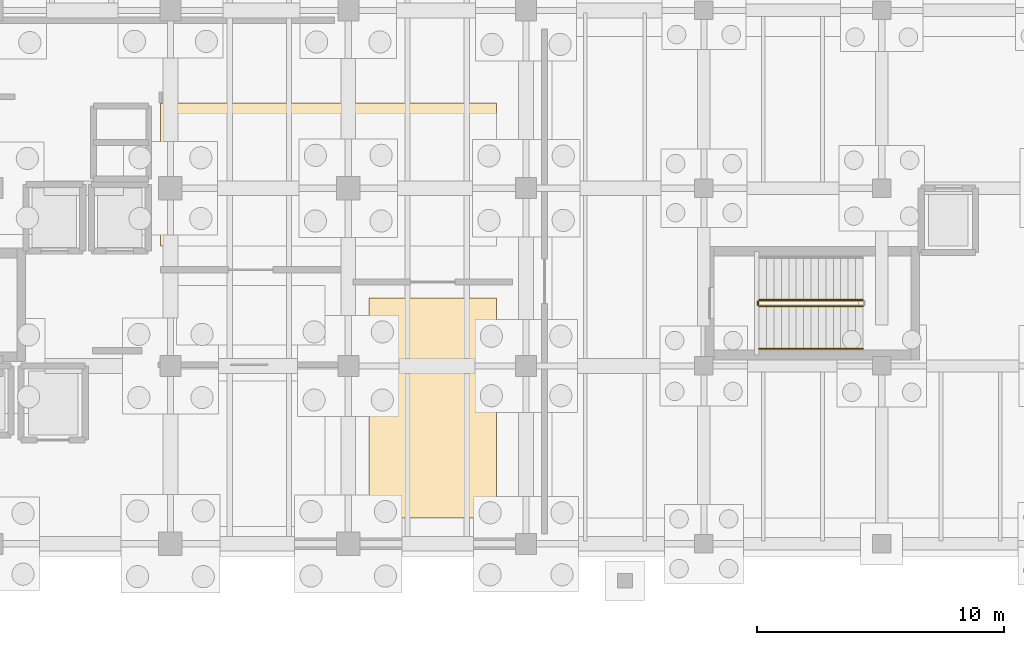
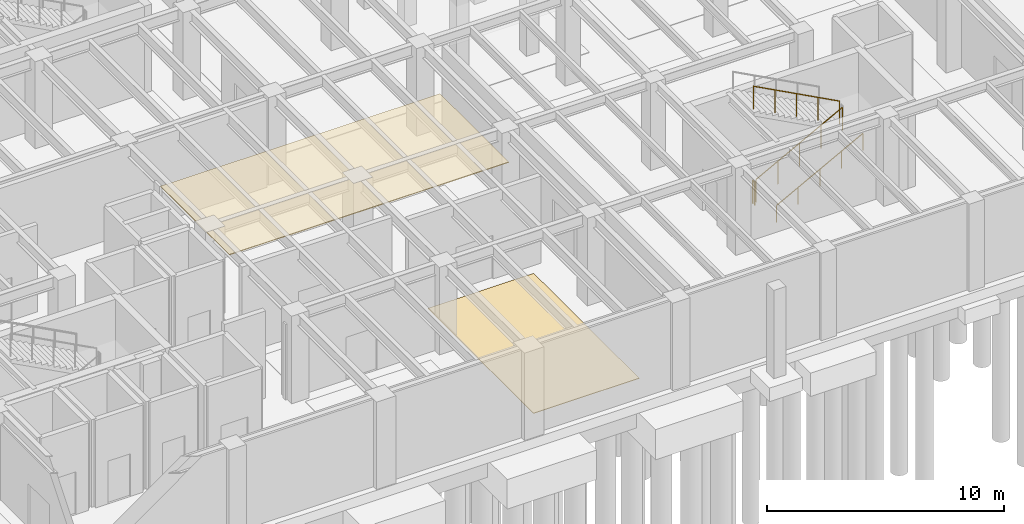
# One storey, part 19 of 26: 4 railings, 2 coverings.
"""IFC4 building model written with IfcOpenShell, lengths in metres."""

from ifc_helpers import new_model, si_unit, direction, frame, origin, origin_2d, place, context, subcontext, project, spatial, polyline, circle, outline, extrude, material, layer, layer_set, type_object, element, save


model = new_model("IFC4")

# Units and contexts
model_context = context("Model", 3, precision=1e-05, world=origin(), true_north=direction((0.0, 1.0)))
body_context = subcontext(model_context, "Body", "Model", "MODEL_VIEW")
ifc_project = project(units=[si_unit("LENGTHUNIT", "METRE"), si_unit("AREAUNIT", "SQUARE_METRE"), si_unit("VOLUMEUNIT", "CUBIC_METRE"), si_unit("PLANEANGLEUNIT", "RADIAN"), si_unit("MASSUNIT", "GRAM", prefix="KILO")], contexts=[model_context])

# Site, building, storey
site_placement = place(None, origin())
site = spatial("IfcSite", under=ifc_project, at=site_placement, CompositionType="ELEMENT")
building_placement = place(site_placement, origin())
building = spatial("IfcBuilding", under=site, at=building_placement, Name="Kandorven Conservatory and Botanical Research Centre", CompositionType="ELEMENT")
storey_placement = place(building_placement, frame((0.0, 0.0, -4.800048828125)))
storey = spatial("IfcBuildingStorey", under=building, at=storey_placement, Name="B01", CompositionType="ELEMENT", Elevation=-4.800048828125)

# Coverings
ifc_material_1 = material(Name="Perforated mineral-fibre acoustic ceiling tile", Category="gypsum")
ifc_layer_1 = layer(ifc_material_1, 0.0400390625)
ifc_layer_set_1 = layer_set([ifc_layer_1], Name="Perforated mineral-fibre acoustic ceiling tile")
covering_type_1 = type_object("IfcCoveringType", Name="Cov_Ceiling_1", PredefinedType="CEILING", material=ifc_layer_set_1)
covering_1_placement = place(storey_placement, frame((0.0, 0.0, 4.43994140625)))
element("IfcCovering", 1, at=covering_1_placement, inside=storey, type_object=covering_type_1, Name="Suspended acoustic ceiling CLG-01 (Botanical Propagation and Potting Workshop)", PredefinedType="CEILING", context=body_context, shape_type="SweptSolid", body=[
    extrude(outline(polyline([(27.199951171875, 18.050048828125), (40.800048828125, 18.050048828125), (40.800048828125, 23.85009765625), (27.199951171875, 23.85009765625), (27.199951171875, 18.050048828125)])), origin(), (0.0, 0.0, 1.0), 0.0400390625),
])
ifc_material_2 = material(Name="Honed Kota stone and epoxy laboratory flooring", Category="masonry")
ifc_layer_2 = layer(ifc_material_2, 0.02490234375)
ifc_layer_set_2 = layer_set([ifc_layer_2], Name="Honed Kota stone and epoxy laboratory flooring")
covering_type_2 = type_object("IfcCoveringType", Name="Cov_Flooring_1", PredefinedType="FLOORING", material=ifc_layer_set_2)
covering_2_placement = place(storey_placement, origin())
element("IfcCovering", 2, at=covering_2_placement, inside=storey, type_object=covering_type_2, Name="Floor finish FLR-01 (Herbarium Quarantine Blast Freezer Room)", PredefinedType="FLOORING", context=body_context, shape_type="SweptSolid", body=[
    extrude(outline(polyline([(35.64990234375, 7.050048828125), (40.800048828125, 7.050048828125), (40.800048828125, 15.949951171875), (35.64990234375, 15.949951171875), (35.64990234375, 7.050048828125)])), origin(), (0.0, 0.0, 1.0), 0.025146484375),
])

# Railings
ifc_material_3 = material(Name="Steel S355 (IS 2062 E350)", Category="steel")
railing_type_1 = type_object("IfcRailingType", Name="StairGuard_1150", PredefinedType="BALUSTRADE", material=ifc_material_3)
railing_1_placement = place(storey_placement, frame((51.43994140625, 15.6201171875, 0.16015625)))
element("IfcRailing", 3, at=railing_1_placement, inside=storey, type_object=railing_type_1, Name="B01 ST-V3A stair guard 1", PredefinedType="BALUSTRADE", context=body_context, shape_type="SweptSolid", body=[
    extrude(circle(Radius=0.02392578125, at=origin_2d()), frame((0.0, 0.0, 1.17578125), z_axis=(0.882351521365, 0.0, 0.470590897432), x_axis=(0.0, 1.0, 0.0)), (0.0, 0.0, 1.0), 4.760009765625),
    extrude(circle(Radius=0.02099609375, at=origin_2d()), origin(), (0.0, 0.0, 1.0), 1.15185546875),
    extrude(circle(Radius=0.02099609375, at=origin_2d()), frame((1.050048828125, 0.0, 0.56005859375)), (0.0, 0.0, 1.0), 1.15185546875),
    extrude(circle(Radius=0.02099609375, at=origin_2d()), frame((2.10009765625, 0.0, 1.1201171875)), (0.0, 0.0, 1.0), 1.15185546875),
    extrude(circle(Radius=0.02099609375, at=origin_2d()), frame((3.14990234375, 0.0, 1.679931640625)), (0.0, 0.0, 1.0), 1.15185546875),
    extrude(circle(Radius=0.02099609375, at=origin_2d()), frame((4.199951171875, 0.0, 2.239990234375)), (0.0, 0.0, 1.0), 1.15185546875),
])
railing_2_placement = place(storey_placement, frame((55.639892578125, 15.8701171875, 2.56005859375)))
element("IfcRailing", 4, at=railing_2_placement, inside=storey, type_object=railing_type_1, Name="B01 ST-V3A stair guard 3", PredefinedType="BALUSTRADE", context=body_context, shape_type="SweptSolid", body=[
    extrude(circle(Radius=0.02392578125, at=origin_2d()), frame((0.0, 0.0, 1.17578125), z_axis=(-0.882351521365, 0.0, 0.470590897432), x_axis=(0.0, -1.0, 0.0)), (0.0, 0.0, 1.0), 4.760009765625),
    extrude(circle(Radius=0.02099609375, at=origin_2d()), origin(), (0.0, 0.0, 1.0), 1.15185546875),
    extrude(circle(Radius=0.02099609375, at=origin_2d()), frame((-1.050048828125, 0.0, 0.56005859375)), (0.0, 0.0, 1.0), 1.15185546875),
    extrude(circle(Radius=0.02099609375, at=origin_2d()), frame((-2.10009765625, 0.0, 1.1201171875)), (0.0, 0.0, 1.0), 1.15185546875),
    extrude(circle(Radius=0.02099609375, at=origin_2d()), frame((-3.14990234375, 0.0, 1.679931640625)), (0.0, 0.0, 1.0), 1.15185546875),
    extrude(circle(Radius=0.02099609375, at=origin_2d()), frame((-4.199951171875, 0.0, 2.239990234375)), (0.0, 0.0, 1.0), 1.15185546875),
])
railing_3_placement = place(storey_placement, frame((51.389892578125, 15.669921875, 0.0)))
element("IfcRailing", 5, at=railing_3_placement, inside=storey, type_object=railing_type_1, Name="B01 ST-V3A stair guard 4", PredefinedType="BALUSTRADE", context=body_context, shape_type="SweptSolid", body=[
    extrude(circle(Radius=0.02392578125, at=origin_2d()), frame((0.0, 0.0, 1.17578125), z_axis=(0.0, 1.0, 0.0), x_axis=(-1.0, 0.0, 0.0)), (0.0, 0.0, 1.0), 0.150146484375),
    extrude(circle(Radius=0.02099609375, at=origin_2d()), origin(), (0.0, 0.0, 1.0), 1.15185546875),
    extrude(circle(Radius=0.02099609375, at=origin_2d()), frame((0.0, 0.150146484375, 0.0)), (0.0, 0.0, 1.0), 1.15185546875),
])
ifc_material_4 = material(Name="Steel S355 (IS 2062 E350)", Category="steel")
railing_type_2 = type_object("IfcRailingType", Name="StairHandrail_900", PredefinedType="HANDRAIL", material=ifc_material_4)
railing_4_placement = place(storey_placement, frame((51.43994140625, 13.89990234375, 0.16015625)))
element("IfcRailing", 6, at=railing_4_placement, inside=storey, type_object=railing_type_2, Name="B01 ST-V3A stair handrail 1", PredefinedType="HANDRAIL", context=body_context, shape_type="SweptSolid", body=[
    extrude(circle(Radius=0.02392578125, at=origin_2d()), frame((0.0, 0.0, 0.8759765625), z_axis=(0.882351521365, 0.0, 0.470590897432), x_axis=(0.0, 1.0, 0.0)), (0.0, 0.0, 1.0), 4.760009765625),
    extrude(circle(Radius=0.02099609375, at=origin_2d()), origin(), (0.0, 0.0, 1.0), 0.851806640625),
    extrude(circle(Radius=0.02099609375, at=origin_2d()), frame((1.050048828125, 0.0, 0.56005859375)), (0.0, 0.0, 1.0), 0.851806640625),
    extrude(circle(Radius=0.02099609375, at=origin_2d()), frame((2.10009765625, 0.0, 1.1201171875)), (0.0, 0.0, 1.0), 0.851806640625),
    extrude(circle(Radius=0.02099609375, at=origin_2d()), frame((3.14990234375, 0.0, 1.679931640625)), (0.0, 0.0, 1.0), 0.851806640625),
    extrude(circle(Radius=0.02099609375, at=origin_2d()), frame((4.199951171875, 0.0, 2.239990234375)), (0.0, 0.0, 1.0), 0.851806640625),
])

save(model, "model.ifc")
